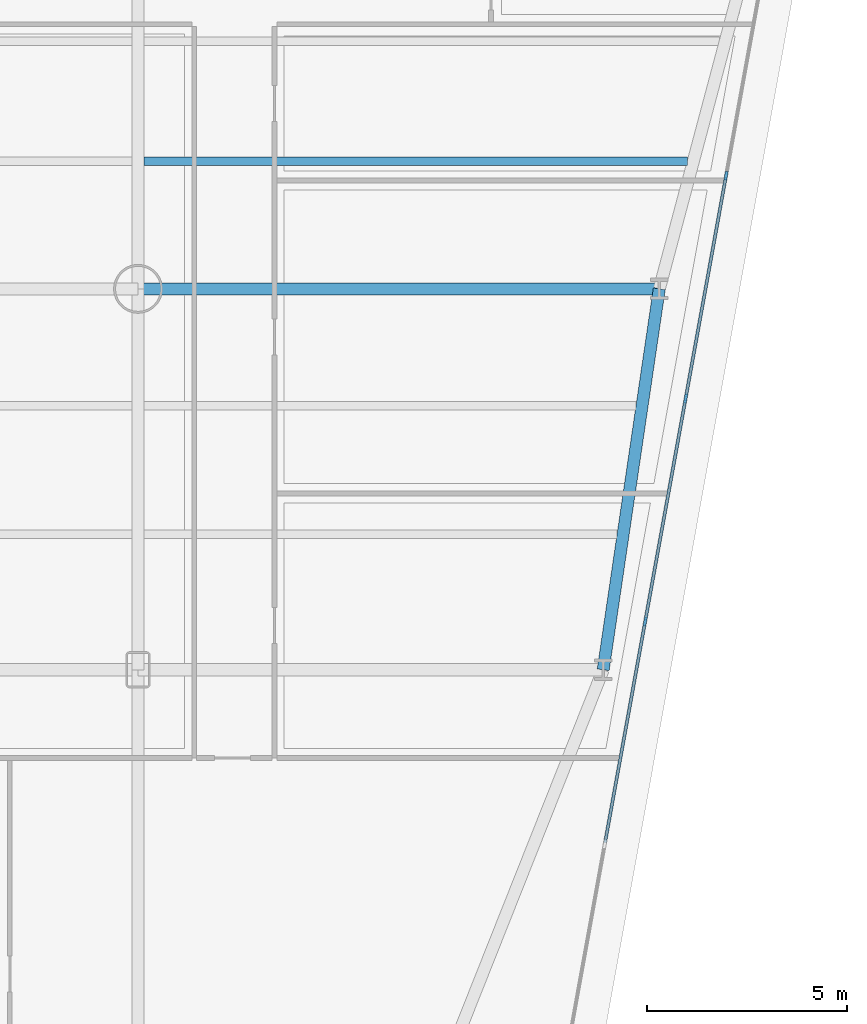
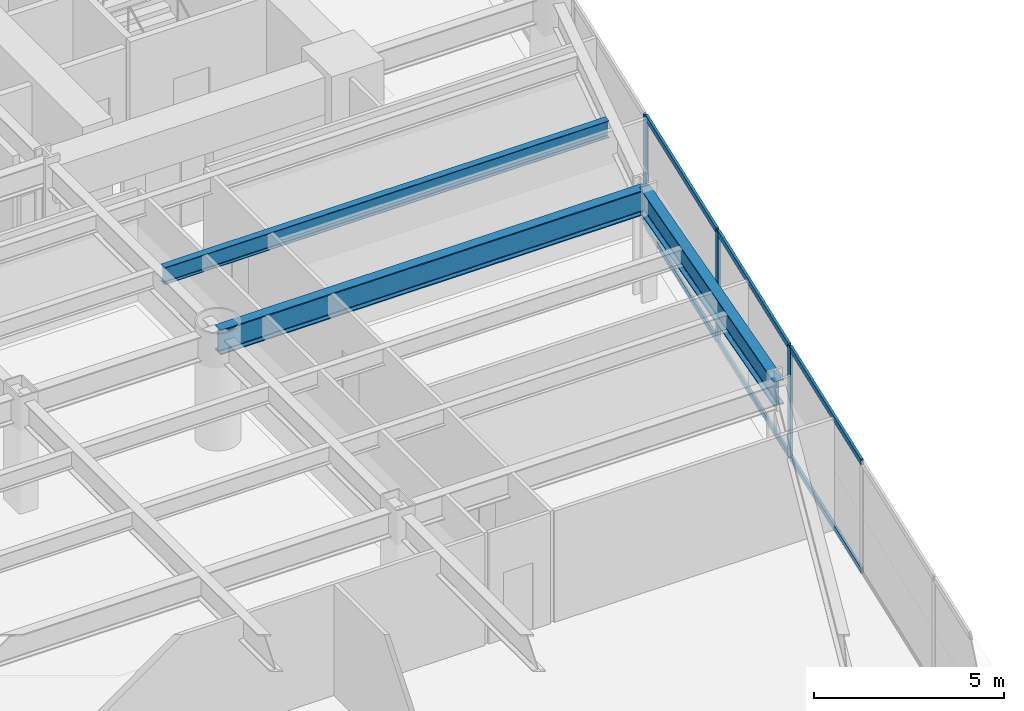
# One storey, part 4 of 14: 9 members, 3 beams, 1 element without a shape of its own.
"""IFC4 building model written with IfcOpenShell, lengths in metres."""

import ifcopenshell
import ifcopenshell.guid

model = None  # the IFC model being written
_history = None  # IfcOwnerHistory: only IFC2X3 demands one
_inside = {}  # id of a spatial element -> (the spatial element, [elements in it])
_under = {}  # id of a project, library or spatial element -> (it, [spatial elements below it])
_declared = {}  # id of a project -> (the project, [libraries it declares])
_typed = {}  # id of a type object -> (the type object, [elements of that type])
_made_of = {}  # id of a material, layer set ... -> (it, [elements and type objects made of it])


def new_model(schema):
    """Start an empty IFC model of exactly this schema.

    Asked for "IFC4X3", IfcOpenShell would pick the latest addendum, in which some entities
    have other attributes; the version numbers below select the first issue.
    IFC2X3 requires an IfcOwnerHistory on every rooted entity: one is made here for all.
    """
    global model, _history
    if schema == "IFC4X3":
        model = ifcopenshell.file(schema_version=(4, 3, 0, 0))
    else:
        model = ifcopenshell.file(schema=schema)
    _inside.clear()
    _under.clear()
    _declared.clear()
    _typed.clear()
    _made_of.clear()
    _history = None
    if model.schema == "IFC2X3":
        org = make("IfcOrganization", Name="unknown")
        user = make(
            "IfcPersonAndOrganization",
            ThePerson=make("IfcPerson", FamilyName="unknown"),
            TheOrganization=org,
        )
        app = make(
            "IfcApplication",
            ApplicationDeveloper=org,
            Version="unknown",
            ApplicationFullName="unknown",
            ApplicationIdentifier="unknown",
        )
        _history = make(
            "IfcOwnerHistory",
            OwningUser=user,
            OwningApplication=app,
            ChangeAction="ADDED",
            CreationDate=0,
        )
    return model


def make(cls, **values):
    """One entity of the class cls with the attributes given. An attribute that is None is left unset."""
    return model.create_entity(
        cls, **{name: value for name, value in values.items() if value is not None}
    )


def rooted(cls, **values):
    """An entity with a GlobalId (a new one), such as an element, a storey or a relation."""
    return make(cls, GlobalId=ifcopenshell.guid.new(), OwnerHistory=_history, **values)


def si_unit(unit_type, name, prefix=None):
    """IfcSIUnit, for example si_unit("LENGTHUNIT", "METRE", prefix="MILLI")."""
    return make("IfcSIUnit", UnitType=unit_type, Prefix=prefix, Name=name)


def assignment(units):
    """IfcUnitAssignment: the units of a project."""
    return None if units is None else make("IfcUnitAssignment", Units=units)


def point(xyz):
    """IfcCartesianPoint."""
    return None if xyz is None else make("IfcCartesianPoint", Coordinates=xyz)


def direction(xyz):
    """IfcDirection."""
    return None if xyz is None else make("IfcDirection", DirectionRatios=xyz)


def frame(location, z_axis=None, x_axis=None):
    """IfcAxis2Placement3D, a coordinate frame: its origin and axes. An axis left out is left unset."""
    return make(
        "IfcAxis2Placement3D",
        Location=point(location),
        Axis=direction(z_axis),
        RefDirection=direction(x_axis),
    )


def frame_2d(location, x_axis=None):
    """IfcAxis2Placement2D, a coordinate frame in the plane: its origin and x axis."""
    return make(
        "IfcAxis2Placement2D", Location=point(location), RefDirection=direction(x_axis)
    )


def origin():
    """The frame at (0, 0, 0) with its axes left unset."""
    return frame((0.0, 0.0, 0.0))


def origin_2d():
    """The frame at (0, 0) in the plane with its x axis left unset."""
    return frame_2d((0.0, 0.0))


def place(relative_to, where):
    """IfcLocalPlacement: puts the frame where relative to a parent placement (None: the world)."""
    return make(
        "IfcLocalPlacement", PlacementRelTo=relative_to, RelativePlacement=where
    )


def context(
    kind, dimensions, precision=None, world=None, true_north=None, identifier=None
):
    """IfcGeometricRepresentationContext, for example the 3D "Model" context."""
    return make(
        "IfcGeometricRepresentationContext",
        ContextIdentifier=identifier,
        ContextType=kind,
        CoordinateSpaceDimension=dimensions,
        Precision=precision,
        WorldCoordinateSystem=world,
        TrueNorth=true_north,
    )


def subcontext(parent, identifier, kind, view, scale=None):
    """IfcGeometricRepresentationSubContext, for example "Body" below "Model"."""
    return make(
        "IfcGeometricRepresentationSubContext",
        ContextIdentifier=identifier,
        ContextType=kind,
        ParentContext=parent,
        TargetScale=scale,
        TargetView=view,
    )


def project(units=None, contexts=None):
    """IfcProject with its units and contexts."""
    return rooted(
        "IfcProject",
        Name="project",
        RepresentationContexts=contexts,
        UnitsInContext=assignment(units),
    )


def spatial(cls, under=None, at=None, **own):
    """A site, building, storey or space (cls), placed at a placement, below another one or the project."""
    s = rooted(cls, ObjectPlacement=at, **own)
    if under is not None:
        _under.setdefault(under.id(), (under, []))[1].append(s)
    return s


def profile(cls, at=None, kind="AREA", **sizes):
    """A parametric profile (cls). Its sizes go by their IFC names, for example OverallWidth=200.0."""
    return make(cls, ProfileType=kind, Position=at, **sizes)


def rectangle(**sizes):
    """IfcRectangleProfileDef."""
    return profile("IfcRectangleProfileDef", **sizes)


def i_section(**sizes):
    """IfcIShapeProfileDef."""
    return profile("IfcIShapeProfileDef", **sizes)


def extrude(swept, where, along, depth):
    """IfcExtrudedAreaSolid: the profile swept, set in the frame where, extruded along a direction by depth."""
    return make(
        "IfcExtrudedAreaSolid",
        SweptArea=swept,
        Position=where,
        ExtrudedDirection=direction(along),
        Depth=depth,
    )


def shape(context_of_items, identifier, shape_type, items):
    """IfcShapeRepresentation: the items that make up one representation, for example the "Body"."""
    return make(
        "IfcShapeRepresentation",
        ContextOfItems=context_of_items,
        RepresentationIdentifier=identifier,
        RepresentationType=shape_type,
        Items=items,
    )


def source(mapping_origin, context_of_items, identifier, shape_type, items):
    """IfcRepresentationMap: a shape defined once, which mapped items show again and again."""
    return make(
        "IfcRepresentationMap",
        MappingOrigin=mapping_origin,
        MappedRepresentation=shape(context_of_items, identifier, shape_type, items),
    )


def transform(
    local_origin,
    x_axis=None,
    y_axis=None,
    z_axis=None,
    scale=None,
    scale2=None,
    scale3=None,
    uniform=True,
):
    """IfcCartesianTransformationOperator3D, or its non-uniform kind. x_axis, y_axis, z_axis: its Axis1, 2, 3."""
    if uniform:
        return make(
            "IfcCartesianTransformationOperator3D",
            Axis1=direction(x_axis),
            Axis2=direction(y_axis),
            LocalOrigin=point(local_origin),
            Scale=scale,
            Axis3=direction(z_axis),
        )
    return make(
        "IfcCartesianTransformationOperator3DnonUniform",
        Axis1=direction(x_axis),
        Axis2=direction(y_axis),
        LocalOrigin=point(local_origin),
        Scale=scale,
        Axis3=direction(z_axis),
        Scale2=scale2,
        Scale3=scale3,
    )


def mapped(mapping_source, mapping_target):
    """IfcMappedItem: shows the shape of a source again, moved by a transform."""
    return make(
        "IfcMappedItem", MappingSource=mapping_source, MappingTarget=mapping_target
    )


def material(Name=None, Category=None):
    """IfcMaterial."""
    return make("IfcMaterial", Name=Name, Category=Category)


def layer(
    of_material, thickness, ventilated=None, Name=None, Category=None, Priority=None
):
    """IfcMaterialLayer: one layer of a wall or slab, of a material (None: an air gap)."""
    return make(
        "IfcMaterialLayer",
        Material=of_material,
        LayerThickness=thickness,
        IsVentilated=ventilated,
        Name=Name,
        Category=Category,
        Priority=Priority,
    )


def layer_set(layers, Name=None):
    """IfcMaterialLayerSet."""
    return make("IfcMaterialLayerSet", MaterialLayers=layers, LayerSetName=Name)


def material_profile(
    of_material, cross_section, Name=None, Category=None, Priority=None
):
    """IfcMaterialProfile: a cross section and its material."""
    return make(
        "IfcMaterialProfile",
        Name=Name,
        Material=of_material,
        Profile=cross_section,
        Priority=Priority,
        Category=Category,
    )


def profile_set(profiles, Name=None, composite=None):
    """IfcMaterialProfileSet."""
    return make(
        "IfcMaterialProfileSet",
        Name=Name,
        MaterialProfiles=profiles,
        CompositeProfile=composite,
    )


def made_of(thing, what):
    """Note that an element or type object is made of a material, layer set ...; save() writes the relation."""
    if what is not None:
        _made_of.setdefault(what.id(), (what, []))[1].append(thing)
    return thing


def type_object(cls, material=None, **own):
    """A type object (cls), such as IfcWallType, which elements share."""
    return made_of(rooted(cls, **own), material)


def element(
    cls,
    number,
    at=None,
    inside=None,
    cuts=None,
    type_object=None,
    material=None,
    context=None,
    identifier="Body",
    shape_type=None,
    held_by="IfcProductDefinitionShape",
    body=None,
    shapes=None,
    **own,
):
    """One element of the class cls, such as IfcWall. Its Tag is "e" and its number.

    at: its placement. inside: the storey or other place that contains it. cuts: it is an
    opening in that element (IfcRelVoidsElement). A single representation is given by context,
    identifier, shape_type and body (its items); several are given by shapes. held_by: the class
    of the entity that holds the representations. save() writes the other relations.
    """
    e = rooted(cls, Tag="e%d" % number, ObjectPlacement=at, **own)
    if body is not None:
        shapes = [shape(context, identifier, shape_type, body)]
    if shapes is not None:
        e.Representation = make(held_by, Representations=shapes)
    if inside is not None:
        _inside.setdefault(inside.id(), (inside, []))[1].append(e)
    if cuts is not None:
        rooted(
            "IfcRelVoidsElement", RelatingBuildingElement=cuts, RelatedOpeningElement=e
        )
    if type_object is not None:
        _typed.setdefault(type_object.id(), (type_object, []))[1].append(e)
    return made_of(e, material)


def aggregate(whole, parts):
    """IfcRelAggregates: a whole, such as a stair, and the parts it consists of."""
    return rooted("IfcRelAggregates", RelatingObject=whole, RelatedObjects=parts)


def save(model, path):
    """Write the relations noted so far, then the file.

    IfcRelAggregates (storeys below a building ...), IfcRelContainedInSpatialStructure (elements
    in a storey), IfcRelDefinesByType, IfcRelAssociatesMaterial and IfcRelDeclares: one each for
    every whole, place, type object, material and project.
    """
    for whole, parts in _under.values():
        aggregate(whole, parts)
    for where, things in _inside.values():
        rooted(
            "IfcRelContainedInSpatialStructure",
            RelatedElements=things,
            RelatingStructure=where,
        )
    for kind, things in _typed.values():
        rooted("IfcRelDefinesByType", RelatedObjects=things, RelatingType=kind)
    for what, things in _made_of.values():
        rooted("IfcRelAssociatesMaterial", RelatedObjects=things, RelatingMaterial=what)
    for by, libraries in _declared.values():
        rooted("IfcRelDeclares", RelatingContext=by, RelatedDefinitions=libraries)
    model.write(path)


model = new_model("IFC4")

# Units and contexts
model_context = context("Model", 3, precision=1e-05, world=origin(), true_north=direction((0.0, 1.0)))
body_context = subcontext(model_context, "Body", "Model", "MODEL_VIEW")
ifc_project = project(units=[si_unit("LENGTHUNIT", "METRE"), si_unit("AREAUNIT", "SQUARE_METRE"), si_unit("VOLUMEUNIT", "CUBIC_METRE"), si_unit("PLANEANGLEUNIT", "RADIAN"), si_unit("MASSUNIT", "GRAM", prefix="KILO")], contexts=[model_context])

# Site, building, storey
site_placement = place(None, origin())
site = spatial("IfcSite", under=ifc_project, at=site_placement, CompositionType="ELEMENT")
building_placement = place(site_placement, origin())
building = spatial("IfcBuilding", under=site, at=building_placement, Name="Vaeldorn Concourse Tower", CompositionType="ELEMENT")
storey_placement = place(building_placement, frame((0.0, 0.0, 22.60009765625)))
storey = spatial("IfcBuildingStorey", under=building, at=storey_placement, Name="L05", CompositionType="ELEMENT", Elevation=22.60009765625)

# Beams
ifc_material_1 = material(Name="Steel S355", Category="steel")
ifc_material_profile_1 = material_profile(ifc_material_1, i_section(OverallWidth=0.300048828125, OverallDepth=0.800048828125, WebThickness=0.017578125, FlangeThickness=0.032958984375, FilletRadius=0.030029296875, at=origin_2d()), Name="HEB 800")
ifc_profile_set_1 = profile_set([ifc_material_profile_1], Name="Steel S355")
beam_type_1 = type_object("IfcBeamType", Name="BM-PG-HEB800", PredefinedType="BEAM", material=ifc_profile_set_1)
shared_shape_1 = source(origin(), body_context, "Body", "SweptSolid", [
    extrude(i_section(OverallWidth=0.300048828125, OverallDepth=0.800048828125, WebThickness=0.017578125, FlangeThickness=0.032958984375, FilletRadius=0.030029296875, at=origin_2d()), origin(), (0.0, 0.0, 1.0), 13.0),
])
beam_1_placement = place(storey_placement, frame((45.0, 27.5, 3.179931640625), z_axis=(1.0, 0.0, 0.0), x_axis=(0.0, 1.0, 0.0)))
element("IfcBeam", 1, at=beam_1_placement, inside=storey, type_object=beam_type_1, Name="Beam BM-L05-C-TW4-C-FLE1", PredefinedType="BEAM", context=body_context, shape_type="MappedRepresentation", body=[
    mapped(shared_shape_1, transform((0.0, 0.0, 0.0), scale=1.0)),
])
shared_shape_2 = source(origin(), body_context, "Body", "SweptSolid", [
    extrude(i_section(OverallWidth=0.300048828125, OverallDepth=0.800048828125, WebThickness=0.017578125, FlangeThickness=0.032958984375, FilletRadius=0.030029296875, at=origin_2d()), origin(), (0.0, 0.0, 1.0), 9.6025390625),
])
beam_2_placement = place(storey_placement, frame((58.0, 27.5, 3.179931640625), z_axis=(-0.145783835977, -0.989316467652, 0.0), x_axis=(0.989316467652, -0.145783835977, 0.0)))
element("IfcBeam", 2, at=beam_2_placement, inside=storey, type_object=beam_type_1, Name="Beam BM-L05-C-FLE1-C-FLE2", PredefinedType="BEAM", context=body_context, shape_type="MappedRepresentation", body=[
    mapped(shared_shape_2, transform((0.0, 0.0, 0.0), scale=1.0)),
])
ifc_material_profile_2 = material_profile(ifc_material_1, i_section(OverallWidth=0.2099609375, OverallDepth=0.550048828125, WebThickness=0.010986328125, FlangeThickness=0.01708984375, FilletRadius=0.02392578125, at=origin_2d()), Name="IPE 550")
ifc_profile_set_2 = profile_set([ifc_material_profile_2], Name="Steel S355")
beam_type_2 = type_object("IfcBeamType", Name="BM-JS-IPE550", PredefinedType="JOIST", material=ifc_profile_set_2)
shared_shape_3 = source(origin(), body_context, "Body", "SweptSolid", [
    extrude(i_section(OverallWidth=0.2099609375, OverallDepth=0.550048828125, WebThickness=0.010986328125, FlangeThickness=0.01708984375, FilletRadius=0.02392578125, at=origin_2d()), origin(), (0.0, 0.0, 1.0), 13.548095703125),
])
beam_3_placement = place(storey_placement, frame((45.14990234375, 30.679931640625, 3.304931640625), z_axis=(1.0, 0.0, 0.0), x_axis=(0.0, 1.0, 0.0)))
element("IfcBeam", 3, at=beam_3_placement, inside=storey, type_object=beam_type_2, Name="Beam JS-L05-E1-306", PredefinedType="JOIST", context=body_context, shape_type="MappedRepresentation", body=[
    mapped(shared_shape_3, transform((0.0, 0.0, 0.0), scale=1.0)),
])

# Curtain wall, members
ifc_material_2 = material(Name="Anodised Bronze Aluminium", Category="aluminium")
ifc_layer = layer(ifc_material_2, 0.219970703125)
ifc_layer_set = layer_set([ifc_layer], Name="Anodised Bronze Aluminium")
curtain_wall_type = type_object("IfcCurtainWallType", Name="CW-SYS-01", PredefinedType="NOTDEFINED", material=ifc_layer_set)
curtain_wall_placement = place(storey_placement, origin())
curtain_wall = element("IfcCurtainWall", 4, at=curtain_wall_placement, inside=storey, type_object=curtain_wall_type, Name="Unitised Curtain Wall CW-L05-E07-1", PredefinedType="NOTDEFINED")
ifc_material_profile_3 = material_profile(ifc_material_2, rectangle(XDim=0.074951171875, YDim=0.219970703125, at=origin_2d()), Name="CWM 75x220")
ifc_profile_set_3 = profile_set([ifc_material_profile_3], Name="Anodised Bronze Aluminium")
member_type_1 = type_object("IfcMemberType", Name="CWM-BRONZE-220", PredefinedType="MULLION", material=ifc_profile_set_3)
shared_shape_4 = source(origin(), body_context, "Body", "SweptSolid", [
    extrude(rectangle(XDim=0.074951171875, YDim=0.219970703125, at=origin_2d()), origin(), (0.0, 0.0, 1.0), 3.579833984375),
])
member_1_placement = place(storey_placement, frame((57.649169921875, 19.209716796875, 0.0), z_axis=(0.0, 0.0, 1.0), x_axis=(-0.983935146293, 0.178526266665, 0.0)))
member_1 = element("IfcMember", 5, at=member_1_placement, type_object=member_type_1, Name="CW-01 mullion 4", PredefinedType="MULLION", context=body_context, shape_type="MappedRepresentation", body=[
    mapped(shared_shape_4, transform((0.0, 0.0, 0.0), scale=1.0)),
])
member_2_placement = place(storey_placement, frame((58.657470703125, 24.7666015625, 0.0), z_axis=(0.0, 0.0, 1.0), x_axis=(-0.983935146293, 0.178526266665, 0.0)))
member_2 = element("IfcMember", 6, at=member_2_placement, type_object=member_type_1, Name="CW-01 mullion 5", PredefinedType="MULLION", context=body_context, shape_type="MappedRepresentation", body=[
    mapped(shared_shape_4, transform((0.0, 0.0, 0.0), scale=1.0)),
])
member_3_placement = place(storey_placement, frame((59.665771484375, 30.323486328125, 0.0), z_axis=(0.0, 0.0, 1.0), x_axis=(-0.983935146293, 0.178526266665, 0.0)))
member_3 = element("IfcMember", 7, at=member_3_placement, type_object=member_type_1, Name="CW-01 mullion 6", PredefinedType="MULLION", context=body_context, shape_type="MappedRepresentation", body=[
    mapped(shared_shape_4, transform((0.0, 0.0, 0.0), scale=1.0)),
])
ifc_material_profile_4 = material_profile(ifc_material_2, rectangle(XDim=0.074951171875, YDim=0.179931640625, at=origin_2d()), Name="CWT 75x180")
ifc_profile_set_4 = profile_set([ifc_material_profile_4], Name="Anodised Bronze Aluminium")
member_type_2 = type_object("IfcMemberType", Name="CWT-BRONZE-180", PredefinedType="USERDEFINED", material=ifc_profile_set_4)
shared_shape_5 = source(origin(), body_context, "Body", "SweptSolid", [
    extrude(rectangle(XDim=0.074951171875, YDim=0.179931640625, at=origin_2d()), origin(), (0.0, 0.0, 1.0), 5.57275390625),
])
member_4_placement = place(storey_placement, frame((56.647705078125, 13.689697265625, 0.037353515625), z_axis=(0.178526883006, 0.983935034463, 0.0), x_axis=(-0.983935034463, 0.178526883006, 0.0)))
member_4 = element("IfcMember", 8, at=member_4_placement, type_object=member_type_2, Name="CW-01 transom 3.1", ObjectType="TRANSOM", PredefinedType="USERDEFINED", context=body_context, shape_type="MappedRepresentation", body=[
    mapped(shared_shape_5, transform((0.0, 0.0, 0.0), scale=1.0)),
])
member_5_placement = place(storey_placement, frame((56.647705078125, 13.689697265625, 3.54248046875), z_axis=(0.178526883006, 0.983935034463, 0.0), x_axis=(-0.983935034463, 0.178526883006, 0.0)))
member_5 = element("IfcMember", 9, at=member_5_placement, type_object=member_type_2, Name="CW-01 transom 3.2", ObjectType="TRANSOM", PredefinedType="USERDEFINED", context=body_context, shape_type="MappedRepresentation", body=[
    mapped(shared_shape_5, transform((0.0, 0.0, 0.0), scale=1.0)),
])
member_6_placement = place(storey_placement, frame((57.656005859375, 19.24658203125, 0.037353515625), z_axis=(0.178526883006, 0.983935034463, 0.0), x_axis=(-0.983935034463, 0.178526883006, 0.0)))
member_6 = element("IfcMember", 10, at=member_6_placement, type_object=member_type_2, Name="CW-01 transom 4.1", ObjectType="TRANSOM", PredefinedType="USERDEFINED", context=body_context, shape_type="MappedRepresentation", body=[
    mapped(shared_shape_5, transform((0.0, 0.0, 0.0), scale=1.0)),
])
member_7_placement = place(storey_placement, frame((57.656005859375, 19.24658203125, 3.54248046875), z_axis=(0.178526883006, 0.983935034463, 0.0), x_axis=(-0.983935034463, 0.178526883006, 0.0)))
member_7 = element("IfcMember", 11, at=member_7_placement, type_object=member_type_2, Name="CW-01 transom 4.2", ObjectType="TRANSOM", PredefinedType="USERDEFINED", context=body_context, shape_type="MappedRepresentation", body=[
    mapped(shared_shape_5, transform((0.0, 0.0, 0.0), scale=1.0)),
])
shared_shape_6 = source(origin(), body_context, "Body", "SweptSolid", [
    extrude(rectangle(XDim=0.074951171875, YDim=0.179931640625, at=origin_2d()), origin(), (0.0, 0.0, 1.0), 5.572509765625),
])
member_8_placement = place(storey_placement, frame((58.664306640625, 24.8037109375, 0.037353515625), z_axis=(0.178492162827, 0.98394133352, 0.0), x_axis=(-0.98394133352, 0.178492162827, 0.0)))
member_8 = element("IfcMember", 12, at=member_8_placement, type_object=member_type_2, Name="CW-01 transom 5.1", ObjectType="TRANSOM", PredefinedType="USERDEFINED", context=body_context, shape_type="MappedRepresentation", body=[
    mapped(shared_shape_6, transform((0.0, 0.0, 0.0), scale=1.0)),
])
member_9_placement = place(storey_placement, frame((58.664306640625, 24.8037109375, 3.54248046875), z_axis=(0.178492162827, 0.98394133352, 0.0), x_axis=(-0.98394133352, 0.178492162827, 0.0)))
member_9 = element("IfcMember", 13, at=member_9_placement, type_object=member_type_2, Name="CW-01 transom 5.2", ObjectType="TRANSOM", PredefinedType="USERDEFINED", context=body_context, shape_type="MappedRepresentation", body=[
    mapped(shared_shape_6, transform((0.0, 0.0, 0.0), scale=1.0)),
])
aggregate(curtain_wall, [member_1, member_2, member_3, member_4, member_5, member_6, member_7, member_8, member_9])

save(model, "model.ifc")
